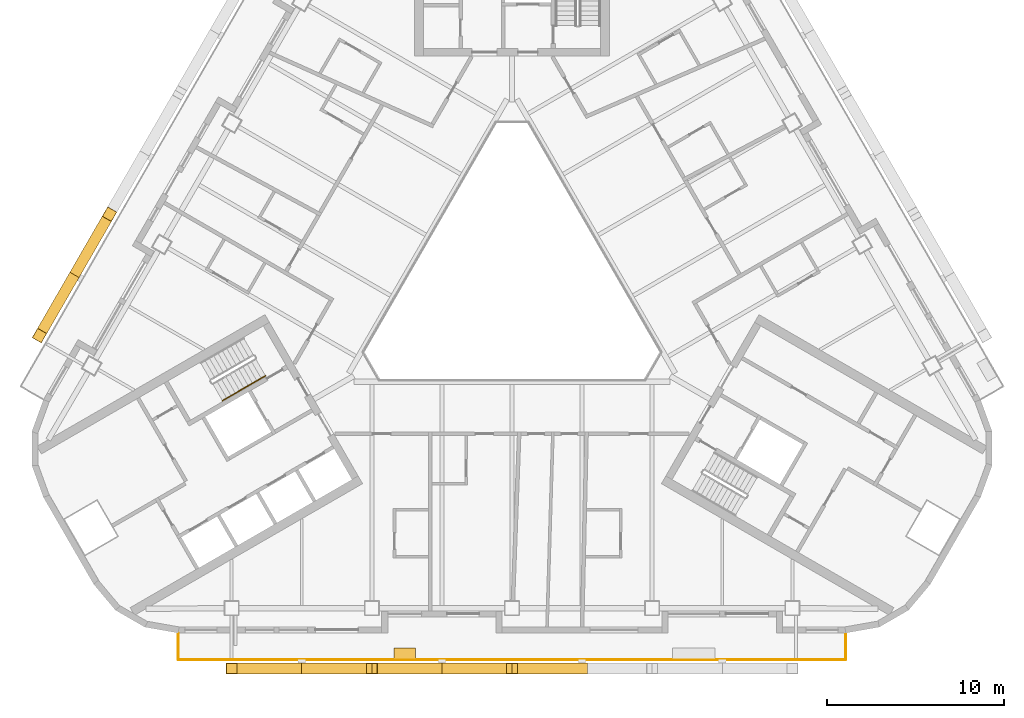
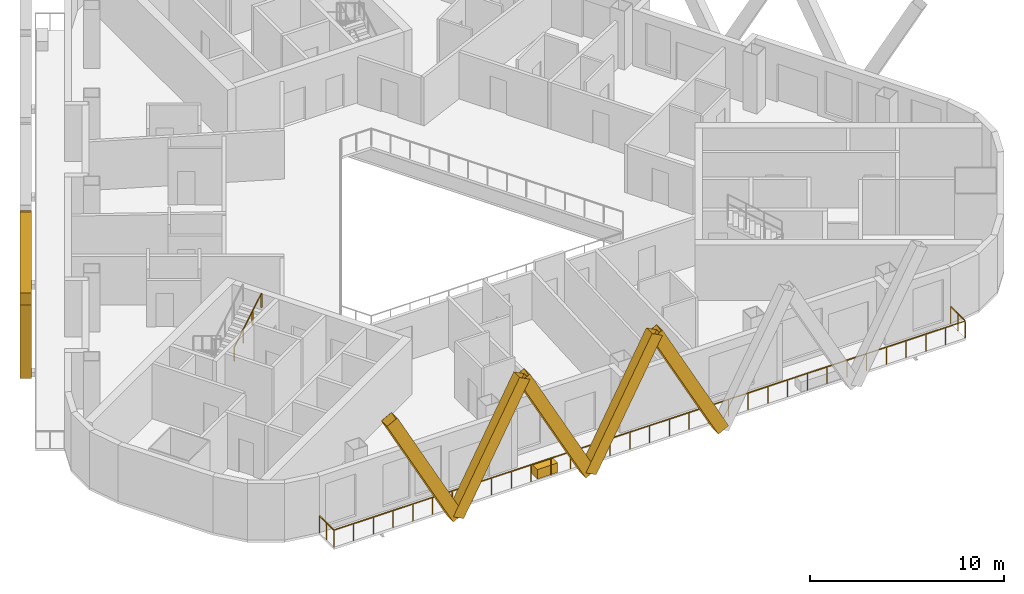
# One storey, part 9 of 14: 7 shading devices, 2 railings, 1 covering.
"""IFC4 building model written with IfcOpenShell, lengths in metres."""

from ifc_helpers import new_model, si_unit, direction, frame, origin, origin_2d, place, context, subcontext, project, spatial, rectangle, hollow_rectangle, circle, extrude, material, material_profile, profile_set, type_object, element, save


model = new_model("IFC4")

# Units and contexts
model_context = context("Model", 3, precision=1e-05, world=origin(), true_north=direction((0.0, 1.0)))
body_context = subcontext(model_context, "Body", "Model", "MODEL_VIEW")
ifc_project = project(units=[si_unit("LENGTHUNIT", "METRE"), si_unit("AREAUNIT", "SQUARE_METRE"), si_unit("VOLUMEUNIT", "CUBIC_METRE"), si_unit("PLANEANGLEUNIT", "RADIAN"), si_unit("MASSUNIT", "GRAM", prefix="KILO")], contexts=[model_context])

# Site, building, storey
site_placement = place(None, origin())
site = spatial("IfcSite", under=ifc_project, at=site_placement, CompositionType="ELEMENT")
building_placement = place(site_placement, origin())
building = spatial("IfcBuilding", under=site, at=building_placement, Name="Apuvela Tower Hotel", CompositionType="ELEMENT")
storey_placement = place(building_placement, frame((0.0, 0.0, 154.0)))
storey = spatial("IfcBuildingStorey", under=building, at=storey_placement, Name="L36", CompositionType="ELEMENT", Elevation=154.0)

# Railing
ifc_material_1 = material(Name="Stainless steel 316 handrail", Category="steel")
railing_type_1 = type_object("IfcRailingType", Name="COR-HANDRAIL-900", PredefinedType="HANDRAIL", material=ifc_material_1)
railing_1_placement = place(storey_placement, frame((-16.31884765625, -6.534912109375, 2.01806640625)))
element("IfcRailing", 1, at=railing_1_placement, inside=storey, type_object=railing_type_1, Name="L36 ST2 stair handrail 2", PredefinedType="HANDRAIL", context=body_context, shape_type="SweptSolid", body=[
    extrude(circle(Radius=0.02392578125, at=origin_2d()), frame((0.0, 0.0, 0.8759765625), z_axis=(0.742390482028, 0.42860119049, 0.514934356695), x_axis=(-0.49998411664, 0.866034573852, 0.0)), (0.0, 0.0, 1.0), 3.26611328125),
    extrude(rectangle(XDim=0.0419921875, YDim=0.0419921875, at=origin_2d()), origin(), (0.0, 0.0, 1.0), 0.851806640625),
    extrude(rectangle(XDim=0.0419921875, YDim=0.0419921875, at=origin_2d()), frame((0.808349609375, 0.466552734375, 0.560546875)), (0.0, 0.0, 1.0), 0.851806640625),
    extrude(rectangle(XDim=0.0419921875, YDim=0.0419921875, at=origin_2d()), frame((1.616455078125, 0.933349609375, 1.121337890625)), (0.0, 0.0, 1.0), 0.851806640625),
    extrude(rectangle(XDim=0.0419921875, YDim=0.0419921875, at=origin_2d()), frame((2.4248046875, 1.39990234375, 1.681884765625)), (0.0, 0.0, 1.0), 0.851806640625),
])

# Shading devices
ifc_material_2 = material(Name="Aluminium 6063-T6, black anodised", Category="aluminium")
ifc_material_profile = material_profile(ifc_material_2, hollow_rectangle(XDim=0.60009765625, YDim=0.699951171875, WallThickness=0.011962890625, at=origin_2d()), Name="AL BOX 700x600x12")
ifc_profile_set = profile_set([ifc_material_profile], Name="Aluminium 6063-T6, black anodised")
shading_device_type = type_object("IfcShadingDeviceType", Name="ENV-FIN-700x600", PredefinedType="USERDEFINED", material=ifc_profile_set)
for number, where, z_axis, x_axis, name in (
    (2, (-11.85009765625, -21.6298828125, -0.10009765625), (-0.470885802113, 0.0, 0.882194174413), (0.0, -1.0, 0.0), "Lattice fin S297"),
    (3, (-11.85009765625, -21.6298828125, -0.10009765625), (0.470908452903, 0.0, 0.882182083804), (0.0, 1.0, 0.0), "Lattice fin S298"),
    (4, (-3.949951171875, -21.6298828125, -0.10009765625), (-0.470885802113, 0.0, 0.882194174413), (0.0, -1.0, 0.0), "Lattice fin S299"),
    (5, (-3.949951171875, -21.6298828125, -0.10009765625), (0.470885802113, 0.0, 0.882194174413), (0.0, 1.0, 0.0), "Lattice fin S300"),
    (6, (3.949951171875, -21.6298828125, -0.10009765625), (-0.470885802113, 0.0, 0.882194174413), (0.0, -1.0, 0.0), "Lattice fin S301"),
    (7, (-24.656982421875, 0.552490234375, -0.10009765625), (0.235427548578, 0.407814415956, 0.882191176281), (-0.866047669374, 0.499961432884, 0.0), "Lattice fin NW399"),
    (8, (-24.656982421875, 0.552490234375, -0.10009765625), (-0.235457834389, -0.407787356937, 0.88219560175), (0.866005453737, -0.500034552904, 0.0), "Lattice fin NW400"),
):
    element("IfcShadingDevice", number, at=place(storey_placement, frame(where, z_axis=z_axis, x_axis=x_axis)), inside=storey, type_object=shading_device_type, Name=name, ObjectType="FIN", PredefinedType="USERDEFINED", context=body_context, shape_type="SweptSolid", body=[
        extrude(hollow_rectangle(XDim=0.60009765625, YDim=0.699951171875, WallThickness=0.011962890625, at=origin_2d()), origin(), (0.0, 0.0, 1.0), 8.388427734375),
    ])

# Railing
ifc_material_3 = material(Name="Stainless steel 316 rail with laminated glass infill", Category="steel")
railing_type_2 = type_object("IfcRailingType", Name="ENV-GUARD-1100", PredefinedType="GUARDRAIL", material=ifc_material_3)
railing_2_placement = place(storey_placement, frame((-18.81591796875, -19.6298828125, 0.0)))
element("IfcRailing", 9, at=railing_2_placement, inside=storey, type_object=railing_type_2, Name="Balcony guard S L36", PredefinedType="GUARDRAIL", context=body_context, shape_type="SweptSolid", body=[
    extrude(rectangle(XDim=0.050048828125, YDim=0.050048828125, at=origin_2d()), frame((0.0, 0.0, 1.0751953125), z_axis=(0.0, -1.0, 0.0), x_axis=(1.0, 0.0, 0.0)), (0.0, 0.0, 1.0), 1.5),
    extrude(rectangle(XDim=0.050048828125, YDim=0.050048828125, at=origin_2d()), frame((0.0, -1.5, 1.0751953125), z_axis=(1.0, 0.0, 0.0), x_axis=(0.0, 1.0, 0.0)), (0.0, 0.0, 1.0), 37.6318359375),
    extrude(rectangle(XDim=0.050048828125, YDim=0.050048828125, at=origin_2d()), frame((37.6318359375, -1.5, 1.0751953125), z_axis=(0.0, 1.0, 0.0), x_axis=(-1.0, 0.0, 0.0)), (0.0, 0.0, 1.0), 1.5),
    extrude(rectangle(XDim=0.0400390625, YDim=0.0400390625, at=origin_2d()), origin(), (0.0, 0.0, 1.0), 1.050048828125),
    extrude(rectangle(XDim=0.0400390625, YDim=0.0400390625, at=origin_2d()), frame((0.0, -0.75, 0.0)), (0.0, 0.0, 1.0), 1.050048828125),
    extrude(rectangle(XDim=0.0400390625, YDim=0.0400390625, at=origin_2d()), frame((0.0, -1.5, 0.0)), (0.0, 0.0, 1.0), 1.050048828125),
    extrude(rectangle(XDim=0.0400390625, YDim=0.0400390625, at=origin_2d()), frame((1.176025390625, -1.5, 0.0)), (0.0, 0.0, 1.0), 1.050048828125),
    extrude(rectangle(XDim=0.0400390625, YDim=0.0400390625, at=origin_2d()), frame((2.35205078125, -1.5, 0.0)), (0.0, 0.0, 1.0), 1.050048828125),
    extrude(rectangle(XDim=0.0400390625, YDim=0.0400390625, at=origin_2d()), frame((3.528076171875, -1.5, 0.0)), (0.0, 0.0, 1.0), 1.050048828125),
    extrude(rectangle(XDim=0.0400390625, YDim=0.0400390625, at=origin_2d()), frame((4.7041015625, -1.5, 0.0)), (0.0, 0.0, 1.0), 1.050048828125),
    extrude(rectangle(XDim=0.0400390625, YDim=0.0400390625, at=origin_2d()), frame((5.8798828125, -1.5, 0.0)), (0.0, 0.0, 1.0), 1.050048828125),
    extrude(rectangle(XDim=0.0400390625, YDim=0.0400390625, at=origin_2d()), frame((7.055908203125, -1.5, 0.0)), (0.0, 0.0, 1.0), 1.050048828125),
    extrude(rectangle(XDim=0.0400390625, YDim=0.0400390625, at=origin_2d()), frame((8.23193359375, -1.5, 0.0)), (0.0, 0.0, 1.0), 1.050048828125),
    extrude(rectangle(XDim=0.0400390625, YDim=0.0400390625, at=origin_2d()), frame((9.407958984375, -1.5, 0.0)), (0.0, 0.0, 1.0), 1.050048828125),
    extrude(rectangle(XDim=0.0400390625, YDim=0.0400390625, at=origin_2d()), frame((10.583984375, -1.5, 0.0)), (0.0, 0.0, 1.0), 1.050048828125),
    extrude(rectangle(XDim=0.0400390625, YDim=0.0400390625, at=origin_2d()), frame((11.760009765625, -1.5, 0.0)), (0.0, 0.0, 1.0), 1.050048828125),
    extrude(rectangle(XDim=0.0400390625, YDim=0.0400390625, at=origin_2d()), frame((12.93603515625, -1.5, 0.0)), (0.0, 0.0, 1.0), 1.050048828125),
    extrude(rectangle(XDim=0.0400390625, YDim=0.0400390625, at=origin_2d()), frame((14.11181640625, -1.5, 0.0)), (0.0, 0.0, 1.0), 1.050048828125),
    extrude(rectangle(XDim=0.0400390625, YDim=0.0400390625, at=origin_2d()), frame((15.287841796875, -1.5, 0.0)), (0.0, 0.0, 1.0), 1.050048828125),
    extrude(rectangle(XDim=0.0400390625, YDim=0.0400390625, at=origin_2d()), frame((16.4638671875, -1.5, 0.0)), (0.0, 0.0, 1.0), 1.050048828125),
    extrude(rectangle(XDim=0.0400390625, YDim=0.0400390625, at=origin_2d()), frame((17.639892578125, -1.5, 0.0)), (0.0, 0.0, 1.0), 1.050048828125),
    extrude(rectangle(XDim=0.0400390625, YDim=0.0400390625, at=origin_2d()), frame((18.81591796875, -1.5, 0.0)), (0.0, 0.0, 1.0), 1.050048828125),
    extrude(rectangle(XDim=0.0400390625, YDim=0.0400390625, at=origin_2d()), frame((19.991943359375, -1.5, 0.0)), (0.0, 0.0, 1.0), 1.050048828125),
    extrude(rectangle(XDim=0.0400390625, YDim=0.0400390625, at=origin_2d()), frame((21.16796875, -1.5, 0.0)), (0.0, 0.0, 1.0), 1.050048828125),
    extrude(rectangle(XDim=0.0400390625, YDim=0.0400390625, at=origin_2d()), frame((22.343994140625, -1.5, 0.0)), (0.0, 0.0, 1.0), 1.050048828125),
    extrude(rectangle(XDim=0.0400390625, YDim=0.0400390625, at=origin_2d()), frame((23.52001953125, -1.5, 0.0)), (0.0, 0.0, 1.0), 1.050048828125),
    extrude(rectangle(XDim=0.0400390625, YDim=0.0400390625, at=origin_2d()), frame((24.69580078125, -1.5, 0.0)), (0.0, 0.0, 1.0), 1.050048828125),
    extrude(rectangle(XDim=0.0400390625, YDim=0.0400390625, at=origin_2d()), frame((25.871826171875, -1.5, 0.0)), (0.0, 0.0, 1.0), 1.050048828125),
    extrude(rectangle(XDim=0.0400390625, YDim=0.0400390625, at=origin_2d()), frame((27.0478515625, -1.5, 0.0)), (0.0, 0.0, 1.0), 1.050048828125),
    extrude(rectangle(XDim=0.0400390625, YDim=0.0400390625, at=origin_2d()), frame((28.223876953125, -1.5, 0.0)), (0.0, 0.0, 1.0), 1.050048828125),
    extrude(rectangle(XDim=0.0400390625, YDim=0.0400390625, at=origin_2d()), frame((29.39990234375, -1.5, 0.0)), (0.0, 0.0, 1.0), 1.050048828125),
    extrude(rectangle(XDim=0.0400390625, YDim=0.0400390625, at=origin_2d()), frame((30.575927734375, -1.5, 0.0)), (0.0, 0.0, 1.0), 1.050048828125),
    extrude(rectangle(XDim=0.0400390625, YDim=0.0400390625, at=origin_2d()), frame((31.751953125, -1.5, 0.0)), (0.0, 0.0, 1.0), 1.050048828125),
    extrude(rectangle(XDim=0.0400390625, YDim=0.0400390625, at=origin_2d()), frame((32.927734375, -1.5, 0.0)), (0.0, 0.0, 1.0), 1.050048828125),
    extrude(rectangle(XDim=0.0400390625, YDim=0.0400390625, at=origin_2d()), frame((34.103759765625, -1.5, 0.0)), (0.0, 0.0, 1.0), 1.050048828125),
    extrude(rectangle(XDim=0.0400390625, YDim=0.0400390625, at=origin_2d()), frame((35.27978515625, -1.5, 0.0)), (0.0, 0.0, 1.0), 1.050048828125),
    extrude(rectangle(XDim=0.0400390625, YDim=0.0400390625, at=origin_2d()), frame((36.455810546875, -1.5, 0.0)), (0.0, 0.0, 1.0), 1.050048828125),
    extrude(rectangle(XDim=0.0400390625, YDim=0.0400390625, at=origin_2d()), frame((37.6318359375, -1.5, 0.0)), (0.0, 0.0, 1.0), 1.050048828125),
    extrude(rectangle(XDim=0.0400390625, YDim=0.0400390625, at=origin_2d()), frame((37.6318359375, -0.75, 0.0)), (0.0, 0.0, 1.0), 1.050048828125),
    extrude(rectangle(XDim=0.0400390625, YDim=0.0400390625, at=origin_2d()), frame((37.6318359375, 0.0, 0.0)), (0.0, 0.0, 1.0), 1.050048828125),
])

# Covering
ifc_material_4 = material(Name="Planting substrate and soil, planted")
covering_type = type_object("IfcCoveringType", Name="ENV-PLANTER-1200x600", PredefinedType="USERDEFINED", material=ifc_material_4)
covering_placement = place(storey_placement, frame((-6.049560546875, -20.780029296875, 0.0), z_axis=(0.0, 0.0, 1.0), x_axis=(1.0, 0.0, 0.0)))
element("IfcCovering", 10, at=covering_placement, inside=storey, type_object=covering_type, Name="Planter S1", ObjectType="PLANTER", PredefinedType="USERDEFINED", context=body_context, shape_type="SweptSolid", body=[
    extrude(rectangle(XDim=1.199951171875, YDim=0.60009765625, at=origin_2d()), origin(), (0.0, 0.0, 1.0), 0.60009765625),
])

save(model, "model.ifc")
